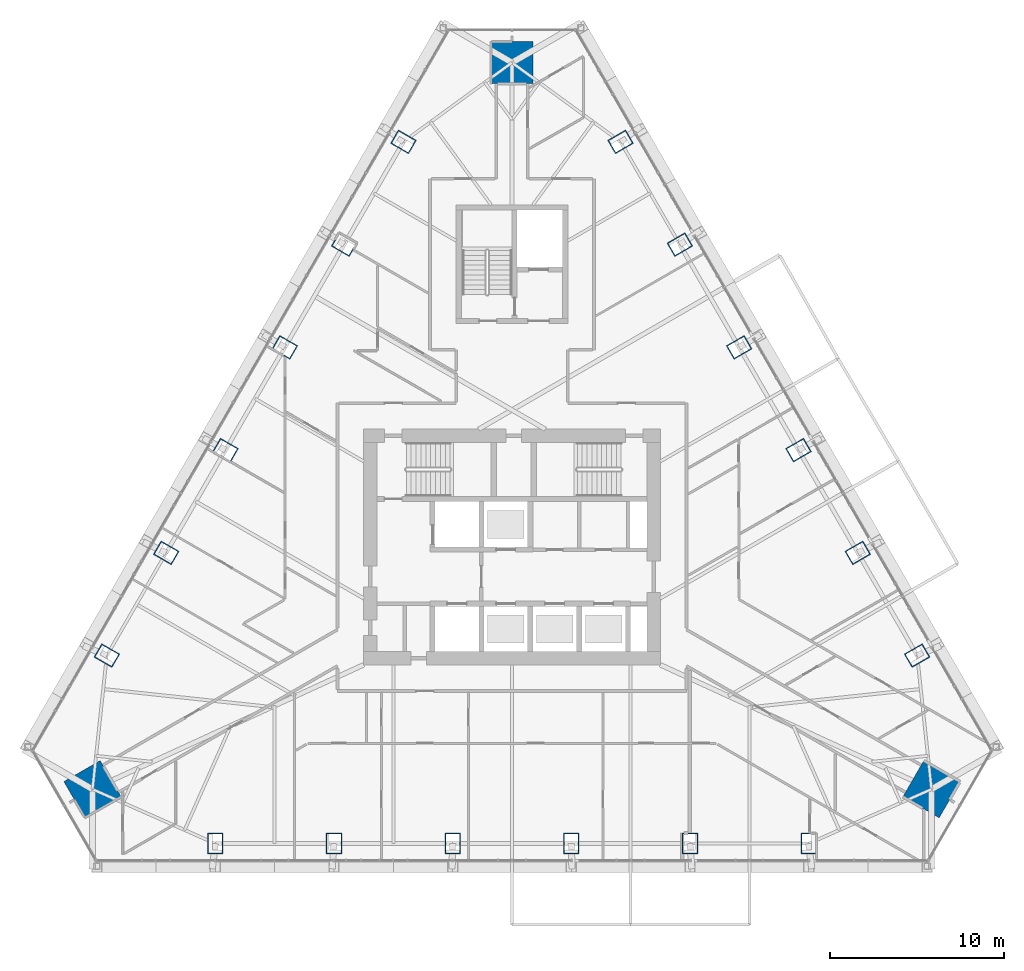
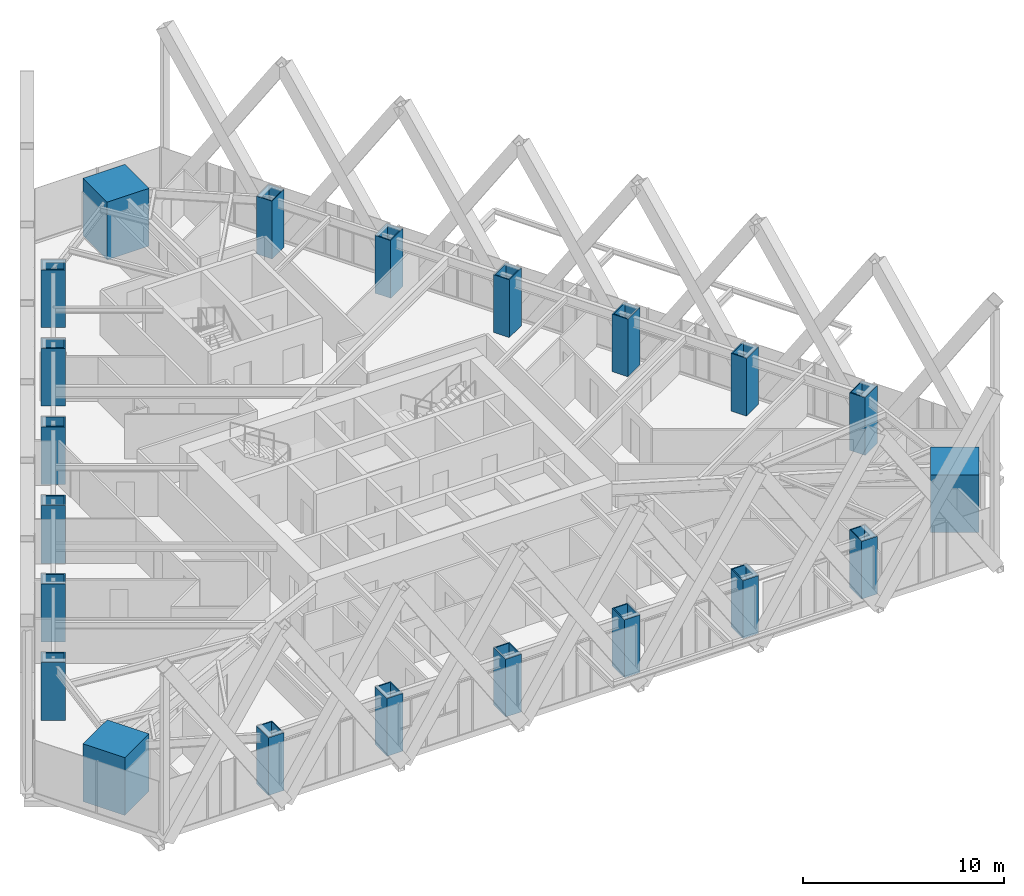
# One storey, part 1 of 24: 21 columns.
"""IFC4 building model written with IfcOpenShell, lengths in metres."""

from ifc_helpers import new_model, si_unit, direction, frame, origin, origin_2d, place, context, subcontext, project, spatial, rectangle, hollow_rectangle, extrude, material, material_profile, profile_set, type_object, element, save


model = new_model("IFC4")

# Units and contexts
model_context = context("Model", 3, precision=1e-05, world=origin(), true_north=direction((0.0, 1.0)))
body_context = subcontext(model_context, "Body", "Model", "MODEL_VIEW")
ifc_project = project(units=[si_unit("LENGTHUNIT", "METRE"), si_unit("AREAUNIT", "SQUARE_METRE"), si_unit("VOLUMEUNIT", "CUBIC_METRE"), si_unit("PLANEANGLEUNIT", "RADIAN"), si_unit("MASSUNIT", "GRAM", prefix="KILO")], contexts=[model_context])

# Site, building, storey
site_placement = place(None, origin())
site = spatial("IfcSite", under=ifc_project, at=site_placement, CompositionType="ELEMENT")
building_placement = place(site_placement, origin())
building = spatial("IfcBuilding", under=site, at=building_placement, Name="Firuza Gate Tower and Library", CompositionType="ELEMENT")
storey_placement = place(building_placement, frame((0.0, 0.0, 260.10009765625)))
storey = spatial("IfcBuildingStorey", under=building, at=storey_placement, Name="L61", CompositionType="ELEMENT", Elevation=260.10009765625)

# Columns
ifc_material_1 = material(Name="Steel S355", Category="steel")
ifc_material_profile_1 = material_profile(ifc_material_1, hollow_rectangle(XDim=0.89990234375, YDim=1.199951171875, WallThickness=0.06005859375, at=origin_2d()))
ifc_profile_set_1 = profile_set([ifc_material_profile_1], Name="Steel S355")
column_type_1 = type_object("IfcColumnType", Name="BU1200x900x60 Composite box column", PredefinedType="COLUMN", material=ifc_profile_set_1)
for number, where, z_axis, x_axis, name in (
    (1, (58.0, 58.002197265625, -0.00048828125), (0.0, 0.0, 1.0), (1.0, 0.0, 0.0), "Column S1 L61"),
    (2, (64.800048828125, 58.002197265625, -0.00048828125), (0.0, 0.0, 1.0), (1.0, 0.0, 0.0), "Column S2 L61"),
    (3, (71.60009765625, 58.002197265625, -0.00048828125), (0.0, 0.0, 1.0), (1.0, 0.0, 0.0), "Column S3 L61"),
    (4, (78.39990234375, 58.002197265625, -0.00048828125), (0.0, 0.0, 1.0), (1.0, 0.0, 0.0), "Column S4 L61"),
    (5, (85.199951171875, 58.002197265625, -0.00048828125), (0.0, 0.0, 1.0), (1.0, 0.0, 0.0), "Column S5 L61"),
    (6, (92.0, 58.002197265625, -0.00048828125), (0.0, 0.0, 1.0), (1.0, 0.0, 0.0), "Column S6 L61"),
    (7, (98.220458984375, 68.776611328125, -0.00048828125), (0.0, 0.0, 1.0), (-0.5, 0.866025403784, 0.0), "Column E1 L61"),
    (8, (94.820556640625, 74.66552734375, -0.00048828125), (0.0, 0.0, 1.0), (-0.5, 0.866025403784, 0.0), "Column E2 L61"),
    (9, (91.420654296875, 80.554443359375, -0.00048828125), (0.0, 0.0, 1.0), (-0.5, 0.866025403784, 0.0), "Column E3 L61"),
    (10, (88.0205078125, 86.443359375, -0.00048828125), (0.0, 0.0, 1.0), (-0.5, 0.866025403784, 0.0), "Column E4 L61"),
    (11, (84.62060546875, 92.332275390625, -0.00048828125), (0.0, 0.0, 1.0), (-0.5, 0.866025403784, 0.0), "Column E5 L61"),
    (12, (81.220458984375, 98.221435546875, -0.00048828125), (0.0, 0.0, 1.0), (-0.5, 0.866025403784, 0.0), "Column E6 L61"),
    (13, (68.779541015625, 98.221435546875, -0.00048828125), (0.0, 0.0, 1.0), (-0.5, -0.866025403784, 0.0), "Column W1 L61"),
    (14, (65.37939453125, 92.332275390625, -0.00048828125), (0.0, 0.0, 1.0), (-0.5, -0.866025403784, 0.0), "Column W2 L61"),
    (15, (61.9794921875, 86.443359375, -0.00048828125), (0.0, 0.0, 1.0), (-0.5, -0.866025403784, 0.0), "Column W3 L61"),
    (16, (58.579345703125, 80.554443359375, -0.00048828125), (0.0, 0.0, 1.0), (-0.5, -0.866025403784, 0.0), "Column W4 L61"),
    (17, (55.179443359375, 74.66552734375, -0.00048828125), (0.0, 0.0, 1.0), (-0.5, -0.866025403784, 0.0), "Column W5 L61"),
    (18, (51.779541015625, 68.776611328125, -0.00048828125), (0.0, 0.0, 1.0), (-0.5, -0.866025403784, 0.0), "Column W6 L61"),
):
    element("IfcColumn", number, at=place(storey_placement, frame(where, z_axis=z_axis, x_axis=x_axis)), inside=storey, type_object=column_type_1, Name=name, PredefinedType="COLUMN", context=body_context, shape_type="SweptSolid", body=[
        extrude(hollow_rectangle(XDim=0.89990234375, YDim=1.199951171875, WallThickness=0.06005859375, at=origin_2d()), origin(), (0.0, 0.0, 1.0), 3.50048828125),
    ])
ifc_material_2 = material(Name="Concrete C80/95", Category="concrete")
ifc_material_profile_2 = material_profile(ifc_material_2, rectangle(XDim=2.39990234375, YDim=2.39990234375, at=origin_2d()))
ifc_profile_set_2 = profile_set([ifc_material_profile_2], Name="Concrete C80/95")
column_type_2 = type_object("IfcColumnType", Name="Mega column 2400x2400 C80/95", PredefinedType="COLUMN", material=ifc_profile_set_2)
for number, where, z_axis, x_axis, name in (
    (19, (99.041259765625, 61.119873046875, 0.0), (0.0, 0.0, 1.0), (0.5, 0.866025403784, 0.0), "Mega column SE L61"),
    (20, (75.0, 102.76025390625, 0.0), (0.0, 0.0, 1.0), (-1.0, 0.0, 0.0), "Mega column N L61"),
    (21, (50.958740234375, 61.119873046875, 0.0), (0.0, 0.0, 1.0), (0.5, -0.866025403784, 0.0), "Mega column SW L61"),
):
    element("IfcColumn", number, at=place(storey_placement, frame(where, z_axis=z_axis, x_axis=x_axis)), inside=storey, type_object=column_type_2, Name=name, PredefinedType="COLUMN", context=body_context, shape_type="SweptSolid", body=[
        extrude(rectangle(XDim=2.39990234375, YDim=2.39990234375, at=origin_2d()), origin(), (0.0, 0.0, 1.0), 3.5),
    ])

save(model, "model.ifc")
